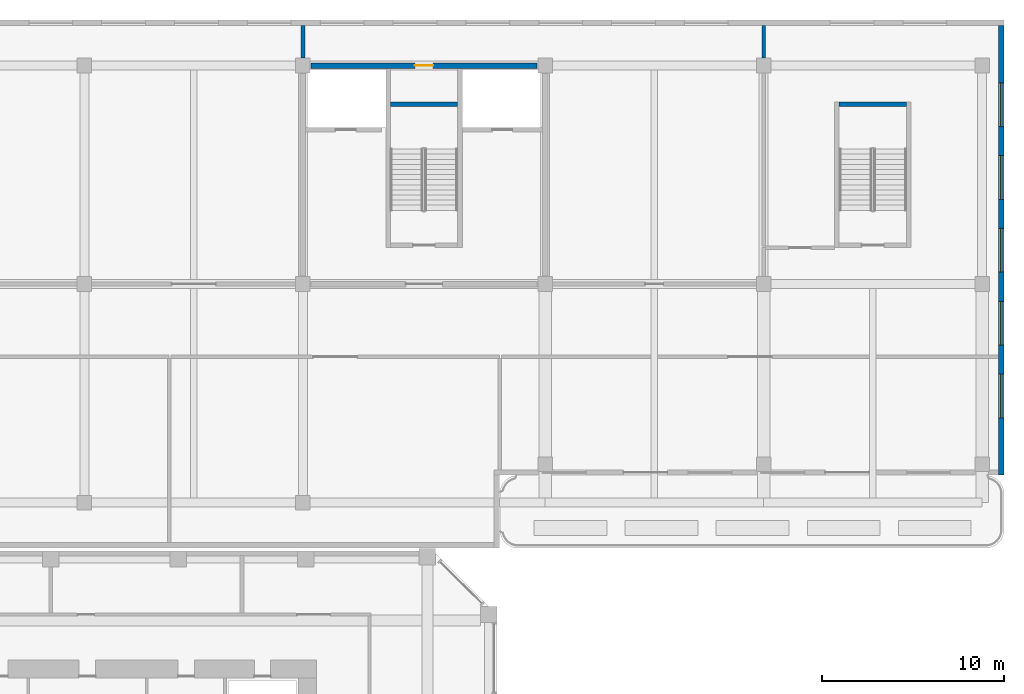
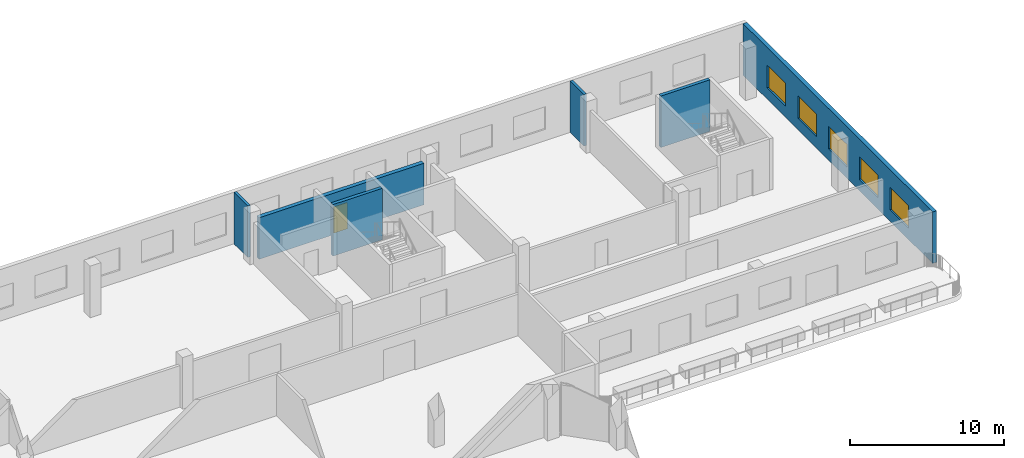
# One storey, part 25 of 35: 6 walls, 5 windows, 1 door, 6 openings.
"""IFC4 building model written with IfcOpenShell, lengths in metres."""

import ifcopenshell
import ifcopenshell.guid

model = None  # the IFC model being written
_history = None  # IfcOwnerHistory: only IFC2X3 demands one
_inside = {}  # id of a spatial element -> (the spatial element, [elements in it])
_under = {}  # id of a project, library or spatial element -> (it, [spatial elements below it])
_declared = {}  # id of a project -> (the project, [libraries it declares])
_typed = {}  # id of a type object -> (the type object, [elements of that type])
_made_of = {}  # id of a material, layer set ... -> (it, [elements and type objects made of it])


def new_model(schema):
    """Start an empty IFC model of exactly this schema.

    Asked for "IFC4X3", IfcOpenShell would pick the latest addendum, in which some entities
    have other attributes; the version numbers below select the first issue.
    IFC2X3 requires an IfcOwnerHistory on every rooted entity: one is made here for all.
    """
    global model, _history
    if schema == "IFC4X3":
        model = ifcopenshell.file(schema_version=(4, 3, 0, 0))
    else:
        model = ifcopenshell.file(schema=schema)
    _inside.clear()
    _under.clear()
    _declared.clear()
    _typed.clear()
    _made_of.clear()
    _history = None
    if model.schema == "IFC2X3":
        org = make("IfcOrganization", Name="unknown")
        user = make(
            "IfcPersonAndOrganization",
            ThePerson=make("IfcPerson", FamilyName="unknown"),
            TheOrganization=org,
        )
        app = make(
            "IfcApplication",
            ApplicationDeveloper=org,
            Version="unknown",
            ApplicationFullName="unknown",
            ApplicationIdentifier="unknown",
        )
        _history = make(
            "IfcOwnerHistory",
            OwningUser=user,
            OwningApplication=app,
            ChangeAction="ADDED",
            CreationDate=0,
        )
    return model


def make(cls, **values):
    """One entity of the class cls with the attributes given. An attribute that is None is left unset."""
    return model.create_entity(
        cls, **{name: value for name, value in values.items() if value is not None}
    )


def rooted(cls, **values):
    """An entity with a GlobalId (a new one), such as an element, a storey or a relation."""
    return make(cls, GlobalId=ifcopenshell.guid.new(), OwnerHistory=_history, **values)


def si_unit(unit_type, name, prefix=None):
    """IfcSIUnit, for example si_unit("LENGTHUNIT", "METRE", prefix="MILLI")."""
    return make("IfcSIUnit", UnitType=unit_type, Prefix=prefix, Name=name)


def assignment(units):
    """IfcUnitAssignment: the units of a project."""
    return None if units is None else make("IfcUnitAssignment", Units=units)


def point(xyz):
    """IfcCartesianPoint."""
    return None if xyz is None else make("IfcCartesianPoint", Coordinates=xyz)


def direction(xyz):
    """IfcDirection."""
    return None if xyz is None else make("IfcDirection", DirectionRatios=xyz)


def frame(location, z_axis=None, x_axis=None):
    """IfcAxis2Placement3D, a coordinate frame: its origin and axes. An axis left out is left unset."""
    return make(
        "IfcAxis2Placement3D",
        Location=point(location),
        Axis=direction(z_axis),
        RefDirection=direction(x_axis),
    )


def frame_2d(location, x_axis=None):
    """IfcAxis2Placement2D, a coordinate frame in the plane: its origin and x axis."""
    return make(
        "IfcAxis2Placement2D", Location=point(location), RefDirection=direction(x_axis)
    )


def origin():
    """The frame at (0, 0, 0) with its axes left unset."""
    return frame((0.0, 0.0, 0.0))


def place(relative_to, where):
    """IfcLocalPlacement: puts the frame where relative to a parent placement (None: the world)."""
    return make(
        "IfcLocalPlacement", PlacementRelTo=relative_to, RelativePlacement=where
    )


def context(
    kind, dimensions, precision=None, world=None, true_north=None, identifier=None
):
    """IfcGeometricRepresentationContext, for example the 3D "Model" context."""
    return make(
        "IfcGeometricRepresentationContext",
        ContextIdentifier=identifier,
        ContextType=kind,
        CoordinateSpaceDimension=dimensions,
        Precision=precision,
        WorldCoordinateSystem=world,
        TrueNorth=true_north,
    )


def subcontext(parent, identifier, kind, view, scale=None):
    """IfcGeometricRepresentationSubContext, for example "Body" below "Model"."""
    return make(
        "IfcGeometricRepresentationSubContext",
        ContextIdentifier=identifier,
        ContextType=kind,
        ParentContext=parent,
        TargetScale=scale,
        TargetView=view,
    )


def project(units=None, contexts=None):
    """IfcProject with its units and contexts."""
    return rooted(
        "IfcProject",
        Name="project",
        RepresentationContexts=contexts,
        UnitsInContext=assignment(units),
    )


def spatial(cls, under=None, at=None, **own):
    """A site, building, storey or space (cls), placed at a placement, below another one or the project."""
    s = rooted(cls, ObjectPlacement=at, **own)
    if under is not None:
        _under.setdefault(under.id(), (under, []))[1].append(s)
    return s


def profile(cls, at=None, kind="AREA", **sizes):
    """A parametric profile (cls). Its sizes go by their IFC names, for example OverallWidth=200.0."""
    return make(cls, ProfileType=kind, Position=at, **sizes)


def rectangle(**sizes):
    """IfcRectangleProfileDef."""
    return profile("IfcRectangleProfileDef", **sizes)


def extrude(swept, where, along, depth):
    """IfcExtrudedAreaSolid: the profile swept, set in the frame where, extruded along a direction by depth."""
    return make(
        "IfcExtrudedAreaSolid",
        SweptArea=swept,
        Position=where,
        ExtrudedDirection=direction(along),
        Depth=depth,
    )


def shape(context_of_items, identifier, shape_type, items):
    """IfcShapeRepresentation: the items that make up one representation, for example the "Body"."""
    return make(
        "IfcShapeRepresentation",
        ContextOfItems=context_of_items,
        RepresentationIdentifier=identifier,
        RepresentationType=shape_type,
        Items=items,
    )


def source(mapping_origin, context_of_items, identifier, shape_type, items):
    """IfcRepresentationMap: a shape defined once, which mapped items show again and again."""
    return make(
        "IfcRepresentationMap",
        MappingOrigin=mapping_origin,
        MappedRepresentation=shape(context_of_items, identifier, shape_type, items),
    )


def transform(
    local_origin,
    x_axis=None,
    y_axis=None,
    z_axis=None,
    scale=None,
    scale2=None,
    scale3=None,
    uniform=True,
):
    """IfcCartesianTransformationOperator3D, or its non-uniform kind. x_axis, y_axis, z_axis: its Axis1, 2, 3."""
    if uniform:
        return make(
            "IfcCartesianTransformationOperator3D",
            Axis1=direction(x_axis),
            Axis2=direction(y_axis),
            LocalOrigin=point(local_origin),
            Scale=scale,
            Axis3=direction(z_axis),
        )
    return make(
        "IfcCartesianTransformationOperator3DnonUniform",
        Axis1=direction(x_axis),
        Axis2=direction(y_axis),
        LocalOrigin=point(local_origin),
        Scale=scale,
        Axis3=direction(z_axis),
        Scale2=scale2,
        Scale3=scale3,
    )


def mapped(mapping_source, mapping_target):
    """IfcMappedItem: shows the shape of a source again, moved by a transform."""
    return make(
        "IfcMappedItem", MappingSource=mapping_source, MappingTarget=mapping_target
    )


def material(Name=None, Category=None):
    """IfcMaterial."""
    return make("IfcMaterial", Name=Name, Category=Category)


def layer(
    of_material, thickness, ventilated=None, Name=None, Category=None, Priority=None
):
    """IfcMaterialLayer: one layer of a wall or slab, of a material (None: an air gap)."""
    return make(
        "IfcMaterialLayer",
        Material=of_material,
        LayerThickness=thickness,
        IsVentilated=ventilated,
        Name=Name,
        Category=Category,
        Priority=Priority,
    )


def layer_set(layers, Name=None):
    """IfcMaterialLayerSet."""
    return make("IfcMaterialLayerSet", MaterialLayers=layers, LayerSetName=Name)


def made_of(thing, what):
    """Note that an element or type object is made of a material, layer set ...; save() writes the relation."""
    if what is not None:
        _made_of.setdefault(what.id(), (what, []))[1].append(thing)
    return thing


def type_object(cls, material=None, **own):
    """A type object (cls), such as IfcWallType, which elements share."""
    return made_of(rooted(cls, **own), material)


def element(
    cls,
    number,
    at=None,
    inside=None,
    cuts=None,
    type_object=None,
    material=None,
    context=None,
    identifier="Body",
    shape_type=None,
    held_by="IfcProductDefinitionShape",
    body=None,
    shapes=None,
    **own,
):
    """One element of the class cls, such as IfcWall. Its Tag is "e" and its number.

    at: its placement. inside: the storey or other place that contains it. cuts: it is an
    opening in that element (IfcRelVoidsElement). A single representation is given by context,
    identifier, shape_type and body (its items); several are given by shapes. held_by: the class
    of the entity that holds the representations. save() writes the other relations.
    """
    e = rooted(cls, Tag="e%d" % number, ObjectPlacement=at, **own)
    if body is not None:
        shapes = [shape(context, identifier, shape_type, body)]
    if shapes is not None:
        e.Representation = make(held_by, Representations=shapes)
    if inside is not None:
        _inside.setdefault(inside.id(), (inside, []))[1].append(e)
    if cuts is not None:
        rooted(
            "IfcRelVoidsElement", RelatingBuildingElement=cuts, RelatedOpeningElement=e
        )
    if type_object is not None:
        _typed.setdefault(type_object.id(), (type_object, []))[1].append(e)
    return made_of(e, material)


def fill(opening, filler):
    """IfcRelFillsElement: the door or window that sits in an opening."""
    return rooted(
        "IfcRelFillsElement",
        RelatingOpeningElement=opening,
        RelatedBuildingElement=filler,
    )


def aggregate(whole, parts):
    """IfcRelAggregates: a whole, such as a stair, and the parts it consists of."""
    return rooted("IfcRelAggregates", RelatingObject=whole, RelatedObjects=parts)


def save(model, path):
    """Write the relations noted so far, then the file.

    IfcRelAggregates (storeys below a building ...), IfcRelContainedInSpatialStructure (elements
    in a storey), IfcRelDefinesByType, IfcRelAssociatesMaterial and IfcRelDeclares: one each for
    every whole, place, type object, material and project.
    """
    for whole, parts in _under.values():
        aggregate(whole, parts)
    for where, things in _inside.values():
        rooted(
            "IfcRelContainedInSpatialStructure",
            RelatedElements=things,
            RelatingStructure=where,
        )
    for kind, things in _typed.values():
        rooted("IfcRelDefinesByType", RelatedObjects=things, RelatingType=kind)
    for what, things in _made_of.values():
        rooted("IfcRelAssociatesMaterial", RelatedObjects=things, RelatingMaterial=what)
    for by, libraries in _declared.values():
        rooted("IfcRelDeclares", RelatingContext=by, RelatedDefinitions=libraries)
    model.write(path)


model = new_model("IFC4")

# Units and contexts
model_context = context("Model", 3, precision=1e-05, world=origin(), true_north=direction((0.0, 1.0)))
body_context = subcontext(model_context, "Body", "Model", "MODEL_VIEW")
ifc_project = project(units=[si_unit("LENGTHUNIT", "METRE"), si_unit("AREAUNIT", "SQUARE_METRE"), si_unit("VOLUMEUNIT", "CUBIC_METRE"), si_unit("PLANEANGLEUNIT", "RADIAN"), si_unit("MASSUNIT", "GRAM", prefix="KILO")], contexts=[model_context])

# Site, building, storey
site_placement = place(None, origin())
site = spatial("IfcSite", under=ifc_project, at=site_placement, CompositionType="ELEMENT")
building_placement = place(site_placement, origin())
building = spatial("IfcBuilding", under=site, at=building_placement, Name="Kilnfold Tower and Market Hall", CompositionType="ELEMENT")
storey_placement = place(building_placement, frame((0.0, 0.0, 13.5)))
storey = spatial("IfcBuildingStorey", under=building, at=storey_placement, Name="L02", CompositionType="ELEMENT", Elevation=13.5)

# Walls
ifc_material_1 = material(Name="Concrete C50/60", Category="concrete")
ifc_layer_1 = layer(ifc_material_1, 0.25)
ifc_layer_set_1 = layer_set([ifc_layer_1], Name="Concrete C50/60")
wall_type_1 = type_object("IfcWallType", Name="HALL CORE WALL 250", PredefinedType="SHEAR", material=ifc_layer_set_1)
shared_shape_1 = source(origin(), body_context, "Body", "SweptSolid", [
    extrude(rectangle(XDim=3.699951171875, YDim=0.25, at=frame_2d((1.85009765625, 0.0))), origin(), (0.0, 0.0, 1.0), 4.10009765625),
])
wall_1_placement = place(storey_placement, frame((46.800048828125, 52.52490234375, 0.0), z_axis=(0.0, 0.0, 1.0), x_axis=(1.0, 0.0, 0.0)))
element("IfcWall", 1, at=wall_1_placement, inside=storey, type_object=wall_type_1, Name="Core wall MS6", PredefinedType="SHEAR", context=body_context, shape_type="MappedRepresentation", body=[
    mapped(shared_shape_1, transform((0.0, 0.0, 0.0))),
])
shared_shape_2 = source(origin(), body_context, "Body", "SweptSolid", [
    extrude(rectangle(XDim=3.7001953125, YDim=0.25, at=frame_2d((1.85009765625, 0.0))), origin(), (0.0, 0.0, 1.0), 4.10009765625),
])
wall_2_placement = place(storey_placement, frame((25.85009765625, 52.52490234375, 0.0), z_axis=(0.0, 0.0, 1.0), x_axis=(-1.0, 0.0, 0.0)))
element("IfcWall", 2, at=wall_2_placement, inside=storey, type_object=wall_type_1, Name="Core wall MH3", PredefinedType="SHEAR", context=body_context, shape_type="MappedRepresentation", body=[
    mapped(shared_shape_2, transform((0.0, 0.0, 0.0))),
])

# Wall, opening, door
ifc_material_2 = material(Name="Concrete C50/60", Category="concrete")
ifc_layer_2 = layer(ifc_material_2, 0.300048828125)
ifc_layer_set_2 = layer_set([ifc_layer_2], Name="Concrete C50/60")
wall_type_2 = type_object("IfcWallType", Name="HALL CORE WALL 300", PredefinedType="SHEAR", material=ifc_layer_set_2)
shared_shape_3 = source(origin(), body_context, "Body", "SweptSolid", [
    extrude(rectangle(XDim=12.39990234375, YDim=0.300048828125, at=frame_2d((6.199951171875, 0.0))), origin(), (0.0, 0.0, 1.0), 3.300048828125),
])
wall_3_placement = place(storey_placement, frame((30.199951171875, 54.64990234375, 0.0), z_axis=(0.0, 0.0, 1.0), x_axis=(-1.0, 0.0, 0.0)))
wall_3 = element("IfcWall", 3, at=wall_3_placement, inside=storey, type_object=wall_type_2, Name="Core wall MH3", PredefinedType="SHEAR", context=body_context, shape_type="MappedRepresentation", body=[
    mapped(shared_shape_3, transform((0.0, 0.0, 0.0))),
])
opening_1_placement = place(wall_3_placement, frame((5.699951171875, 0.0, 0.0)))
opening_1 = element("IfcOpeningElement", 4, at=opening_1_placement, cuts=wall_3, Name="Opening MD4-60", PredefinedType="OPENING", context=body_context, shape_type="SweptSolid", body=[
    extrude(rectangle(XDim=1.0, YDim=2.10009765625, at=frame_2d((0.5, 1.050048828125))), frame((0.0, 0.16015625, 0.0), z_axis=(0.0, -1.0, 0.0), x_axis=(1.0, 0.0, 0.0)), (0.0, 0.0, 1.0), 0.320068359375),
])
ifc_material_3 = material(Name="Steel S355", Category="steel")
door_type = type_object("IfcDoorType", Name="HALL DOOR RISER 1000X2100 FD60", OperationType="NOTDEFINED", PredefinedType="DOOR", material=ifc_material_3)
door_placement = place(opening_1_placement, origin())
door = element("IfcDoor", 5, at=door_placement, inside=storey, type_object=door_type, Name="Door MD4-60", OperationType="SINGLE_SWING_RIGHT", OverallHeight=2.10009765625, OverallWidth=1.0, PredefinedType="DOOR", context=body_context, shape_type="SweptSolid", body=[
    extrude(rectangle(XDim=1.0, YDim=2.10009765625, at=frame_2d((0.5, 1.050048828125))), frame((0.0, 0.02490234375, 0.0), z_axis=(0.0, -1.0, 0.0), x_axis=(1.0, 0.0, 0.0)), (0.0, 0.0, 1.0), 0.050048828125),
])
fill(opening_1, door)

# Wall, openings, windows
ifc_material_4 = material(Name="Concrete blockwork", Category="masonry")
ifc_layer_3 = layer(ifc_material_4, 0.300048828125)
ifc_layer_set_3 = layer_set([ifc_layer_3], Name="Concrete blockwork")
wall_type_3 = type_object("IfcWallType", Name="HALL EXTERNAL WALL 300 EI 60", PredefinedType="SOLIDWALL", material=ifc_layer_set_3)
shared_shape_4 = source(origin(), body_context, "Body", "SweptSolid", [
    extrude(rectangle(XDim=24.7001953125, YDim=0.300048828125, at=frame_2d((12.35009765625, 0.0))), origin(), (0.0, 0.0, 1.0), 4.10009765625),
])
wall_4_placement = place(storey_placement, frame((55.699951171875, 56.85009765625, 0.0), z_axis=(0.0, 0.0, 1.0), x_axis=(0.0, -1.0, 0.0)))
wall_4 = element("IfcWall", 6, at=wall_4_placement, inside=storey, type_object=wall_type_3, Name="External wall MEW-L02.3", PredefinedType="SOLIDWALL", context=body_context, shape_type="MappedRepresentation", body=[
    mapped(shared_shape_4, transform((0.0, 0.0, 0.0))),
])
opening_2_placement = place(wall_4_placement, frame((3.14990234375, 0.0, 0.89990234375)))
opening_2 = element("IfcOpeningElement", 7, at=opening_2_placement, cuts=wall_4, Name="Opening MEN3", PredefinedType="OPENING", context=body_context, shape_type="SweptSolid", body=[
    extrude(rectangle(XDim=2.39990234375, YDim=1.800048828125, at=frame_2d((1.199951171875, 0.89990234375))), frame((0.0, 0.16015625, 0.0), z_axis=(0.0, -1.0, 0.0), x_axis=(1.0, 0.0, 0.0)), (0.0, 0.0, 1.0), 0.320068359375),
])
opening_3_placement = place(wall_4_placement, frame((7.14990234375, 0.0, 0.89990234375)))
opening_3 = element("IfcOpeningElement", 8, at=opening_3_placement, cuts=wall_4, Name="Opening MEN3", PredefinedType="OPENING", context=body_context, shape_type="SweptSolid", body=[
    extrude(rectangle(XDim=2.39990234375, YDim=1.800048828125, at=frame_2d((1.199951171875, 0.89990234375))), frame((0.0, 0.16015625, 0.0), z_axis=(0.0, -1.0, 0.0), x_axis=(1.0, 0.0, 0.0)), (0.0, 0.0, 1.0), 0.320068359375),
])
opening_4_placement = place(wall_4_placement, frame((11.14990234375, 0.0, 0.89990234375)))
opening_4 = element("IfcOpeningElement", 9, at=opening_4_placement, cuts=wall_4, Name="Opening MEN3", PredefinedType="OPENING", context=body_context, shape_type="SweptSolid", body=[
    extrude(rectangle(XDim=2.39990234375, YDim=1.800048828125, at=frame_2d((1.199951171875, 0.89990234375))), frame((0.0, 0.16015625, 0.0), z_axis=(0.0, -1.0, 0.0), x_axis=(1.0, 0.0, 0.0)), (0.0, 0.0, 1.0), 0.320068359375),
])
opening_5_placement = place(wall_4_placement, frame((15.14990234375, 0.0, 0.89990234375)))
opening_5 = element("IfcOpeningElement", 10, at=opening_5_placement, cuts=wall_4, Name="Opening MEN3", PredefinedType="OPENING", context=body_context, shape_type="SweptSolid", body=[
    extrude(rectangle(XDim=2.39990234375, YDim=1.800048828125, at=frame_2d((1.199951171875, 0.89990234375))), frame((0.0, 0.16015625, 0.0), z_axis=(0.0, -1.0, 0.0), x_axis=(1.0, 0.0, 0.0)), (0.0, 0.0, 1.0), 0.320068359375),
])
opening_6_placement = place(wall_4_placement, frame((19.14990234375, 0.0, 0.89990234375)))
opening_6 = element("IfcOpeningElement", 11, at=opening_6_placement, cuts=wall_4, Name="Opening MEN3", PredefinedType="OPENING", context=body_context, shape_type="SweptSolid", body=[
    extrude(rectangle(XDim=2.39990234375, YDim=1.800048828125, at=frame_2d((1.199951171875, 0.89990234375))), frame((0.0, 0.16015625, 0.0), z_axis=(0.0, -1.0, 0.0), x_axis=(1.0, 0.0, 0.0)), (0.0, 0.0, 1.0), 0.320068359375),
])
ifc_material_5 = material(Name="Aluminium glazing", Category="aluminium")
window_type = type_object("IfcWindowType", Name="HALL WINDOW 2400X1800", PartitioningType="SINGLE_PANEL", PredefinedType="WINDOW", material=ifc_material_5)
window_1_placement = place(opening_2_placement, origin())
window_1 = element("IfcWindow", 12, at=window_1_placement, inside=storey, type_object=window_type, Name="Window upper", OverallHeight=1.800048828125, OverallWidth=2.39990234375, PartitioningType="SINGLE_PANEL", PredefinedType="WINDOW", context=body_context, shape_type="SweptSolid", body=[
    extrude(rectangle(XDim=2.39990234375, YDim=1.800048828125, at=frame_2d((1.199951171875, 0.89990234375))), frame((0.0, 0.030029296875, 0.0), z_axis=(0.0, -1.0, 0.0), x_axis=(1.0, 0.0, 0.0)), (0.0, 0.0, 1.0), 0.06005859375),
])
fill(opening_2, window_1)
window_2_placement = place(opening_3_placement, origin())
window_2 = element("IfcWindow", 13, at=window_2_placement, inside=storey, type_object=window_type, Name="Window upper", OverallHeight=1.800048828125, OverallWidth=2.39990234375, PartitioningType="SINGLE_PANEL", PredefinedType="WINDOW", context=body_context, shape_type="SweptSolid", body=[
    extrude(rectangle(XDim=2.39990234375, YDim=1.800048828125, at=frame_2d((1.199951171875, 0.89990234375))), frame((0.0, 0.030029296875, 0.0), z_axis=(0.0, -1.0, 0.0), x_axis=(1.0, 0.0, 0.0)), (0.0, 0.0, 1.0), 0.06005859375),
])
fill(opening_3, window_2)
window_3_placement = place(opening_4_placement, origin())
window_3 = element("IfcWindow", 14, at=window_3_placement, inside=storey, type_object=window_type, Name="Window upper", OverallHeight=1.800048828125, OverallWidth=2.39990234375, PartitioningType="SINGLE_PANEL", PredefinedType="WINDOW", context=body_context, shape_type="SweptSolid", body=[
    extrude(rectangle(XDim=2.39990234375, YDim=1.800048828125, at=frame_2d((1.199951171875, 0.89990234375))), frame((0.0, 0.030029296875, 0.0), z_axis=(0.0, -1.0, 0.0), x_axis=(1.0, 0.0, 0.0)), (0.0, 0.0, 1.0), 0.06005859375),
])
fill(opening_4, window_3)
window_4_placement = place(opening_5_placement, origin())
window_4 = element("IfcWindow", 15, at=window_4_placement, inside=storey, type_object=window_type, Name="Window upper", OverallHeight=1.800048828125, OverallWidth=2.39990234375, PartitioningType="SINGLE_PANEL", PredefinedType="WINDOW", context=body_context, shape_type="SweptSolid", body=[
    extrude(rectangle(XDim=2.39990234375, YDim=1.800048828125, at=frame_2d((1.199951171875, 0.89990234375))), frame((0.0, 0.030029296875, 0.0), z_axis=(0.0, -1.0, 0.0), x_axis=(1.0, 0.0, 0.0)), (0.0, 0.0, 1.0), 0.06005859375),
])
fill(opening_5, window_4)
window_5_placement = place(opening_6_placement, origin())
window_5 = element("IfcWindow", 16, at=window_5_placement, inside=storey, type_object=window_type, Name="Window upper", OverallHeight=1.800048828125, OverallWidth=2.39990234375, PartitioningType="SINGLE_PANEL", PredefinedType="WINDOW", context=body_context, shape_type="SweptSolid", body=[
    extrude(rectangle(XDim=2.39990234375, YDim=1.800048828125, at=frame_2d((1.199951171875, 0.89990234375))), frame((0.0, 0.030029296875, 0.0), z_axis=(0.0, -1.0, 0.0), x_axis=(1.0, 0.0, 0.0)), (0.0, 0.0, 1.0), 0.06005859375),
])
fill(opening_6, window_5)

# Walls
ifc_material_6 = material(Name="Concrete blockwork", Category="masonry")
ifc_layer_4 = layer(ifc_material_6, 0.199951171875)
ifc_layer_set_4 = layer_set([ifc_layer_4], Name="Concrete blockwork")
wall_type_4 = type_object("IfcWallType", Name="HALL PARTITION 200 EI 60", PredefinedType="PARTITIONING", material=ifc_layer_set_4)
shared_shape_5 = source(origin(), body_context, "Body", "SweptSolid", [
    extrude(rectangle(XDim=1.800048828125, YDim=0.199951171875, at=frame_2d((0.89990234375, 0.0))), origin(), (0.0, 0.0, 1.0), 4.10009765625),
])
wall_5_placement = place(storey_placement, frame((17.35009765625, 56.85009765625, 0.0), z_axis=(0.0, 0.0, 1.0), x_axis=(0.0, -1.0, 0.0)))
element("IfcWall", 17, at=wall_5_placement, inside=storey, type_object=wall_type_4, Name="Partition W-MH-L02.44", PredefinedType="PARTITIONING", context=body_context, shape_type="MappedRepresentation", body=[
    mapped(shared_shape_5, transform((0.0, 0.0, 0.0))),
])
ifc_material_7 = material(Name="Concrete blockwork", Category="masonry")
ifc_layer_5 = layer(ifc_material_7, 0.199951171875)
ifc_layer_set_5 = layer_set([ifc_layer_5], Name="Concrete blockwork")
wall_type_5 = type_object("IfcWallType", Name="HALL PARTITION 200 EI 120", PredefinedType="PARTITIONING", material=ifc_layer_set_5)
wall_6_placement = place(storey_placement, frame((42.64990234375, 56.85009765625, 0.0), z_axis=(0.0, 0.0, 1.0), x_axis=(0.0, -1.0, 0.0)))
element("IfcWall", 18, at=wall_6_placement, inside=storey, type_object=wall_type_5, Name="Partition W-MH-L02.51", PredefinedType="PARTITIONING", context=body_context, shape_type="MappedRepresentation", body=[
    mapped(shared_shape_5, transform((0.0, 0.0, 0.0))),
])

save(model, "model.ifc")
